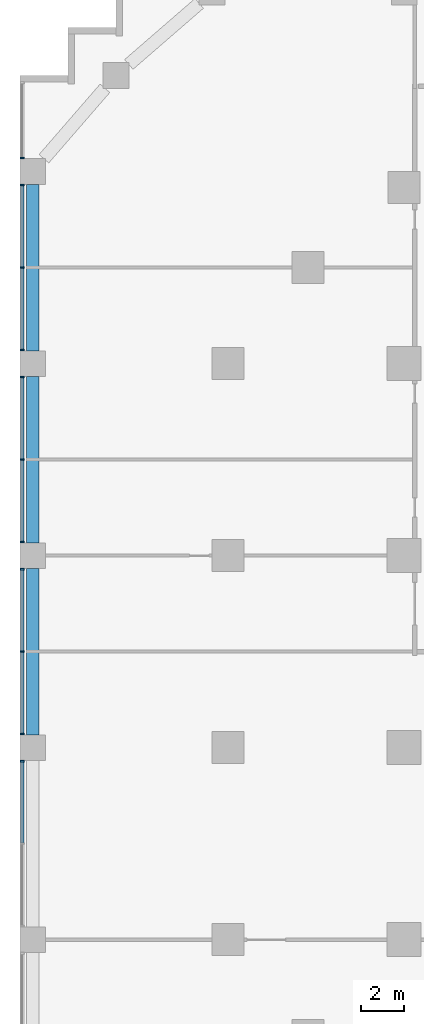
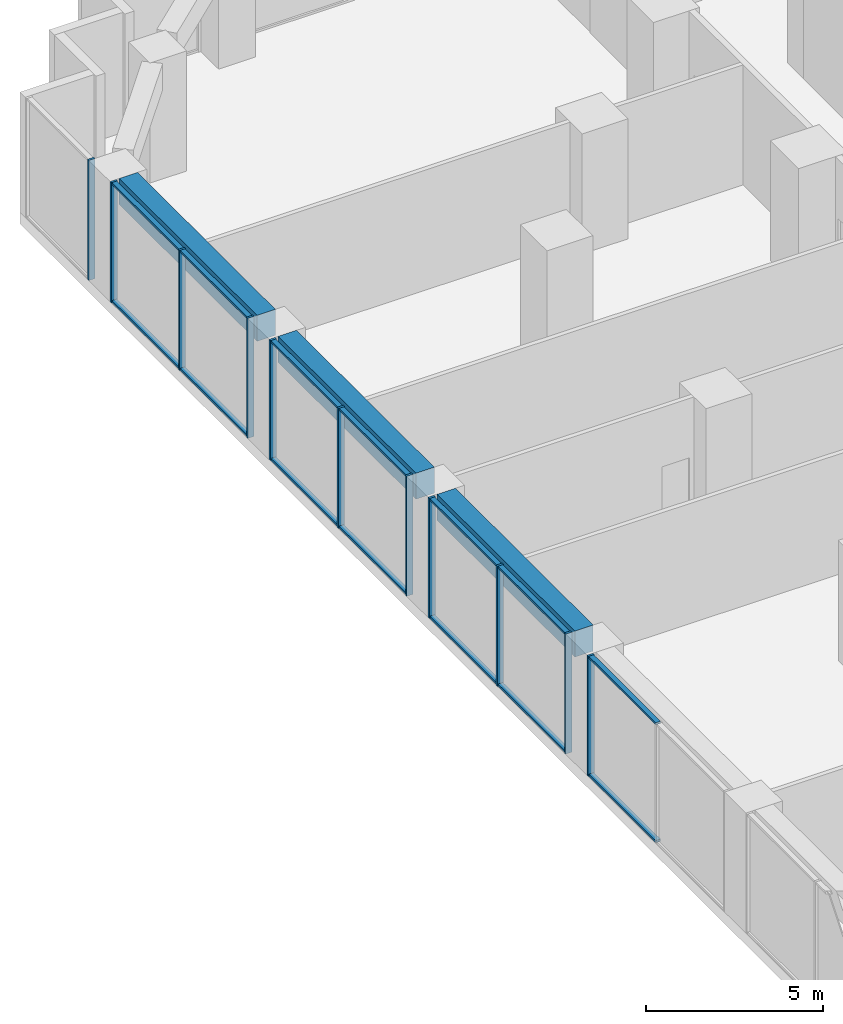
# One storey, part 5 of 18: 25 members, 3 beams, 5 elements without a shape of their own.
"""IFC4 building model written with IfcOpenShell, lengths in metres."""

import ifcopenshell
import ifcopenshell.guid

model = None  # the IFC model being written
_history = None  # IfcOwnerHistory: only IFC2X3 demands one
_inside = {}  # id of a spatial element -> (the spatial element, [elements in it])
_under = {}  # id of a project, library or spatial element -> (it, [spatial elements below it])
_declared = {}  # id of a project -> (the project, [libraries it declares])
_typed = {}  # id of a type object -> (the type object, [elements of that type])
_made_of = {}  # id of a material, layer set ... -> (it, [elements and type objects made of it])


def new_model(schema):
    """Start an empty IFC model of exactly this schema.

    Asked for "IFC4X3", IfcOpenShell would pick the latest addendum, in which some entities
    have other attributes; the version numbers below select the first issue.
    IFC2X3 requires an IfcOwnerHistory on every rooted entity: one is made here for all.
    """
    global model, _history
    if schema == "IFC4X3":
        model = ifcopenshell.file(schema_version=(4, 3, 0, 0))
    else:
        model = ifcopenshell.file(schema=schema)
    _inside.clear()
    _under.clear()
    _declared.clear()
    _typed.clear()
    _made_of.clear()
    _history = None
    if model.schema == "IFC2X3":
        org = make("IfcOrganization", Name="unknown")
        user = make(
            "IfcPersonAndOrganization",
            ThePerson=make("IfcPerson", FamilyName="unknown"),
            TheOrganization=org,
        )
        app = make(
            "IfcApplication",
            ApplicationDeveloper=org,
            Version="unknown",
            ApplicationFullName="unknown",
            ApplicationIdentifier="unknown",
        )
        _history = make(
            "IfcOwnerHistory",
            OwningUser=user,
            OwningApplication=app,
            ChangeAction="ADDED",
            CreationDate=0,
        )
    return model


def make(cls, **values):
    """One entity of the class cls with the attributes given. An attribute that is None is left unset."""
    return model.create_entity(
        cls, **{name: value for name, value in values.items() if value is not None}
    )


def rooted(cls, **values):
    """An entity with a GlobalId (a new one), such as an element, a storey or a relation."""
    return make(cls, GlobalId=ifcopenshell.guid.new(), OwnerHistory=_history, **values)


def si_unit(unit_type, name, prefix=None):
    """IfcSIUnit, for example si_unit("LENGTHUNIT", "METRE", prefix="MILLI")."""
    return make("IfcSIUnit", UnitType=unit_type, Prefix=prefix, Name=name)


def assignment(units):
    """IfcUnitAssignment: the units of a project."""
    return None if units is None else make("IfcUnitAssignment", Units=units)


def point(xyz):
    """IfcCartesianPoint."""
    return None if xyz is None else make("IfcCartesianPoint", Coordinates=xyz)


def direction(xyz):
    """IfcDirection."""
    return None if xyz is None else make("IfcDirection", DirectionRatios=xyz)


def frame(location, z_axis=None, x_axis=None):
    """IfcAxis2Placement3D, a coordinate frame: its origin and axes. An axis left out is left unset."""
    return make(
        "IfcAxis2Placement3D",
        Location=point(location),
        Axis=direction(z_axis),
        RefDirection=direction(x_axis),
    )


def frame_2d(location, x_axis=None):
    """IfcAxis2Placement2D, a coordinate frame in the plane: its origin and x axis."""
    return make(
        "IfcAxis2Placement2D", Location=point(location), RefDirection=direction(x_axis)
    )


def origin():
    """The frame at (0, 0, 0) with its axes left unset."""
    return frame((0.0, 0.0, 0.0))


def origin_2d():
    """The frame at (0, 0) in the plane with its x axis left unset."""
    return frame_2d((0.0, 0.0))


def place(relative_to, where):
    """IfcLocalPlacement: puts the frame where relative to a parent placement (None: the world)."""
    return make(
        "IfcLocalPlacement", PlacementRelTo=relative_to, RelativePlacement=where
    )


def context(
    kind, dimensions, precision=None, world=None, true_north=None, identifier=None
):
    """IfcGeometricRepresentationContext, for example the 3D "Model" context."""
    return make(
        "IfcGeometricRepresentationContext",
        ContextIdentifier=identifier,
        ContextType=kind,
        CoordinateSpaceDimension=dimensions,
        Precision=precision,
        WorldCoordinateSystem=world,
        TrueNorth=true_north,
    )


def subcontext(parent, identifier, kind, view, scale=None):
    """IfcGeometricRepresentationSubContext, for example "Body" below "Model"."""
    return make(
        "IfcGeometricRepresentationSubContext",
        ContextIdentifier=identifier,
        ContextType=kind,
        ParentContext=parent,
        TargetScale=scale,
        TargetView=view,
    )


def project(units=None, contexts=None):
    """IfcProject with its units and contexts."""
    return rooted(
        "IfcProject",
        Name="project",
        RepresentationContexts=contexts,
        UnitsInContext=assignment(units),
    )


def spatial(cls, under=None, at=None, **own):
    """A site, building, storey or space (cls), placed at a placement, below another one or the project."""
    s = rooted(cls, ObjectPlacement=at, **own)
    if under is not None:
        _under.setdefault(under.id(), (under, []))[1].append(s)
    return s


def profile(cls, at=None, kind="AREA", **sizes):
    """A parametric profile (cls). Its sizes go by their IFC names, for example OverallWidth=200.0."""
    return make(cls, ProfileType=kind, Position=at, **sizes)


def rectangle(**sizes):
    """IfcRectangleProfileDef."""
    return profile("IfcRectangleProfileDef", **sizes)


def extrude(swept, where, along, depth):
    """IfcExtrudedAreaSolid: the profile swept, set in the frame where, extruded along a direction by depth."""
    return make(
        "IfcExtrudedAreaSolid",
        SweptArea=swept,
        Position=where,
        ExtrudedDirection=direction(along),
        Depth=depth,
    )


def shape(context_of_items, identifier, shape_type, items):
    """IfcShapeRepresentation: the items that make up one representation, for example the "Body"."""
    return make(
        "IfcShapeRepresentation",
        ContextOfItems=context_of_items,
        RepresentationIdentifier=identifier,
        RepresentationType=shape_type,
        Items=items,
    )


def material(Name=None, Category=None):
    """IfcMaterial."""
    return make("IfcMaterial", Name=Name, Category=Category)


def material_profile(
    of_material, cross_section, Name=None, Category=None, Priority=None
):
    """IfcMaterialProfile: a cross section and its material."""
    return make(
        "IfcMaterialProfile",
        Name=Name,
        Material=of_material,
        Profile=cross_section,
        Priority=Priority,
        Category=Category,
    )


def profile_set(profiles, Name=None, composite=None):
    """IfcMaterialProfileSet."""
    return make(
        "IfcMaterialProfileSet",
        Name=Name,
        MaterialProfiles=profiles,
        CompositeProfile=composite,
    )


def made_of(thing, what):
    """Note that an element or type object is made of a material, layer set ...; save() writes the relation."""
    if what is not None:
        _made_of.setdefault(what.id(), (what, []))[1].append(thing)
    return thing


def type_object(cls, material=None, **own):
    """A type object (cls), such as IfcWallType, which elements share."""
    return made_of(rooted(cls, **own), material)


def element(
    cls,
    number,
    at=None,
    inside=None,
    cuts=None,
    type_object=None,
    material=None,
    context=None,
    identifier="Body",
    shape_type=None,
    held_by="IfcProductDefinitionShape",
    body=None,
    shapes=None,
    **own,
):
    """One element of the class cls, such as IfcWall. Its Tag is "e" and its number.

    at: its placement. inside: the storey or other place that contains it. cuts: it is an
    opening in that element (IfcRelVoidsElement). A single representation is given by context,
    identifier, shape_type and body (its items); several are given by shapes. held_by: the class
    of the entity that holds the representations. save() writes the other relations.
    """
    e = rooted(cls, Tag="e%d" % number, ObjectPlacement=at, **own)
    if body is not None:
        shapes = [shape(context, identifier, shape_type, body)]
    if shapes is not None:
        e.Representation = make(held_by, Representations=shapes)
    if inside is not None:
        _inside.setdefault(inside.id(), (inside, []))[1].append(e)
    if cuts is not None:
        rooted(
            "IfcRelVoidsElement", RelatingBuildingElement=cuts, RelatedOpeningElement=e
        )
    if type_object is not None:
        _typed.setdefault(type_object.id(), (type_object, []))[1].append(e)
    return made_of(e, material)


def aggregate(whole, parts):
    """IfcRelAggregates: a whole, such as a stair, and the parts it consists of."""
    return rooted("IfcRelAggregates", RelatingObject=whole, RelatedObjects=parts)


def save(model, path):
    """Write the relations noted so far, then the file.

    IfcRelAggregates (storeys below a building ...), IfcRelContainedInSpatialStructure (elements
    in a storey), IfcRelDefinesByType, IfcRelAssociatesMaterial and IfcRelDeclares: one each for
    every whole, place, type object, material and project.
    """
    for whole, parts in _under.values():
        aggregate(whole, parts)
    for where, things in _inside.values():
        rooted(
            "IfcRelContainedInSpatialStructure",
            RelatedElements=things,
            RelatingStructure=where,
        )
    for kind, things in _typed.values():
        rooted("IfcRelDefinesByType", RelatedObjects=things, RelatingType=kind)
    for what, things in _made_of.values():
        rooted("IfcRelAssociatesMaterial", RelatedObjects=things, RelatingMaterial=what)
    for by, libraries in _declared.values():
        rooted("IfcRelDeclares", RelatingContext=by, RelatedDefinitions=libraries)
    model.write(path)


model = new_model("IFC4")

# Units and contexts
model_context = context("Model", 3, precision=1e-05, world=origin(), true_north=direction((0.0, 1.0)))
body_context = subcontext(model_context, "Body", "Model", "MODEL_VIEW")
ifc_project = project(units=[si_unit("LENGTHUNIT", "METRE"), si_unit("AREAUNIT", "SQUARE_METRE"), si_unit("VOLUMEUNIT", "CUBIC_METRE"), si_unit("PLANEANGLEUNIT", "RADIAN"), si_unit("MASSUNIT", "GRAM", prefix="KILO")], contexts=[model_context])

# Site, building, storey
site_placement = place(None, origin())
site = spatial("IfcSite", under=ifc_project, at=site_placement, CompositionType="ELEMENT")
building_placement = place(site_placement, origin())
building = spatial("IfcBuilding", under=site, at=building_placement, Name="Orbiselva Terraces", CompositionType="ELEMENT")
storey_placement = place(building_placement, frame((0.0, 0.0, 6.0)))
storey = spatial("IfcBuildingStorey", under=building, at=storey_placement, Name="L01", CompositionType="ELEMENT", Elevation=6.0)

# Curtain wall, member
ifc_material_1 = material(Name="Clear low-e glazing in aluminium frame", Category="aluminium")
curtain_wall_type = type_object("IfcCurtainWallType", Name="ENV-CW-LOBBY", PredefinedType="NOTDEFINED", material=ifc_material_1)
curtain_wall_1_placement = place(storey_placement, origin())
curtain_wall_1 = element("IfcCurtainWall", 1, at=curtain_wall_1_placement, inside=storey, type_object=curtain_wall_type, Name="Curtain wall L01 W", PredefinedType="NOTDEFINED")
ifc_material_2 = material(Name="Anodised aluminium", Category="aluminium")
ifc_material_profile_1 = material_profile(ifc_material_2, rectangle(XDim=0.2, YDim=0.075, at=origin_2d()), Name="AL 75x200")
ifc_profile_set_1 = profile_set([ifc_material_profile_1], Name="Anodised aluminium")
member_type_1 = type_object("IfcMemberType", Name="ENV-CW-LOBBY-MULLION-75x200", PredefinedType="MULLION", material=ifc_profile_set_1)
member_1_placement = place(storey_placement, frame((-35.9, 23.1375, 0.0), z_axis=(0.0, 0.0, 1.0), x_axis=(1.0, 0.0, 0.0)))
member_1 = element("IfcMember", 2, at=member_1_placement, type_object=member_type_1, Name="CW1 mullion 2", PredefinedType="MULLION", context=body_context, shape_type="SweptSolid", body=[
    extrude(rectangle(XDim=0.2, YDim=0.075, at=origin_2d()), origin(), (0.0, 0.0, 1.0), 4.15),
])
aggregate(curtain_wall_1, [member_1])

# Curtain wall, members
curtain_wall_2_placement = place(storey_placement, origin())
curtain_wall_2 = element("IfcCurtainWall", 3, at=curtain_wall_2_placement, inside=storey, type_object=curtain_wall_type, Name="Curtain wall L01 W", PredefinedType="NOTDEFINED")
member_2_placement = place(storey_placement, frame((-35.9, 21.8625, 0.0), z_axis=(0.0, 0.0, 1.0), x_axis=(1.0, 0.0, 0.0)))
member_2 = element("IfcMember", 4, at=member_2_placement, type_object=member_type_1, Name="CW1 mullion 1", PredefinedType="MULLION", context=body_context, shape_type="SweptSolid", body=[
    extrude(rectangle(XDim=0.2, YDim=0.075, at=origin_2d()), origin(), (0.0, 0.0, 1.0), 4.15),
])
member_3_placement = place(storey_placement, frame((-35.9, 18.0, 0.0), z_axis=(0.0, 0.0, 1.0), x_axis=(1.0, 0.0, 0.0)))
member_3 = element("IfcMember", 5, at=member_3_placement, type_object=member_type_1, Name="CW1 mullion 2", PredefinedType="MULLION", context=body_context, shape_type="SweptSolid", body=[
    extrude(rectangle(XDim=0.2, YDim=0.075, at=origin_2d()), origin(), (0.0, 0.0, 1.0), 4.15),
])
member_4_placement = place(storey_placement, frame((-35.9, 14.1375, 0.0), z_axis=(0.0, 0.0, 1.0), x_axis=(1.0, 0.0, 0.0)))
member_4 = element("IfcMember", 6, at=member_4_placement, type_object=member_type_1, Name="CW1 mullion 3", PredefinedType="MULLION", context=body_context, shape_type="SweptSolid", body=[
    extrude(rectangle(XDim=0.2, YDim=0.075, at=origin_2d()), origin(), (0.0, 0.0, 1.0), 4.15),
])

curtain_wall_3_placement = place(storey_placement, origin())
curtain_wall_3 = element("IfcCurtainWall", 7, at=curtain_wall_3_placement, inside=storey, type_object=curtain_wall_type, Name="Curtain wall L01 W", PredefinedType="NOTDEFINED")
member_5_placement = place(storey_placement, frame((-35.9, 12.8625, 0.0), z_axis=(0.0, 0.0, 1.0), x_axis=(1.0, 0.0, 0.0)))
member_5 = element("IfcMember", 8, at=member_5_placement, type_object=member_type_1, Name="CW1 mullion 1", PredefinedType="MULLION", context=body_context, shape_type="SweptSolid", body=[
    extrude(rectangle(XDim=0.2, YDim=0.075, at=origin_2d()), origin(), (0.0, 0.0, 1.0), 4.15),
])
member_6_placement = place(storey_placement, frame((-35.9, 9.0, 0.0), z_axis=(0.0, 0.0, 1.0), x_axis=(1.0, 0.0, 0.0)))
member_6 = element("IfcMember", 9, at=member_6_placement, type_object=member_type_1, Name="CW1 mullion 2", PredefinedType="MULLION", context=body_context, shape_type="SweptSolid", body=[
    extrude(rectangle(XDim=0.2, YDim=0.075, at=origin_2d()), origin(), (0.0, 0.0, 1.0), 4.15),
])
member_7_placement = place(storey_placement, frame((-35.9, 5.1375, 0.0), z_axis=(0.0, 0.0, 1.0), x_axis=(1.0, 0.0, 0.0)))
member_7 = element("IfcMember", 10, at=member_7_placement, type_object=member_type_1, Name="CW1 mullion 3", PredefinedType="MULLION", context=body_context, shape_type="SweptSolid", body=[
    extrude(rectangle(XDim=0.2, YDim=0.075, at=origin_2d()), origin(), (0.0, 0.0, 1.0), 4.15),
])

curtain_wall_4_placement = place(storey_placement, origin())
curtain_wall_4 = element("IfcCurtainWall", 11, at=curtain_wall_4_placement, inside=storey, type_object=curtain_wall_type, Name="Curtain wall L01 W", PredefinedType="NOTDEFINED")
member_8_placement = place(storey_placement, frame((-35.9, 3.8625, 0.0), z_axis=(0.0, 0.0, 1.0), x_axis=(1.0, 0.0, 0.0)))
member_8 = element("IfcMember", 12, at=member_8_placement, type_object=member_type_1, Name="CW1 mullion 1", PredefinedType="MULLION", context=body_context, shape_type="SweptSolid", body=[
    extrude(rectangle(XDim=0.2, YDim=0.075, at=origin_2d()), origin(), (0.0, 0.0, 1.0), 4.15),
])
member_9_placement = place(storey_placement, frame((-35.9, 0.0, 0.0), z_axis=(0.0, 0.0, 1.0), x_axis=(1.0, 0.0, 0.0)))
member_9 = element("IfcMember", 13, at=member_9_placement, type_object=member_type_1, Name="CW1 mullion 2", PredefinedType="MULLION", context=body_context, shape_type="SweptSolid", body=[
    extrude(rectangle(XDim=0.2, YDim=0.075, at=origin_2d()), origin(), (0.0, 0.0, 1.0), 4.15),
])
member_10_placement = place(storey_placement, frame((-35.9, -3.8625, 0.0), z_axis=(0.0, 0.0, 1.0), x_axis=(1.0, 0.0, 0.0)))
member_10 = element("IfcMember", 14, at=member_10_placement, type_object=member_type_1, Name="CW1 mullion 3", PredefinedType="MULLION", context=body_context, shape_type="SweptSolid", body=[
    extrude(rectangle(XDim=0.2, YDim=0.075, at=origin_2d()), origin(), (0.0, 0.0, 1.0), 4.15),
])

# Curtain wall, member
curtain_wall_5_placement = place(storey_placement, origin())
curtain_wall_5 = element("IfcCurtainWall", 15, at=curtain_wall_5_placement, inside=storey, type_object=curtain_wall_type, Name="Curtain wall L01 W", PredefinedType="NOTDEFINED")
member_11_placement = place(storey_placement, frame((-35.9, -5.1375, 0.0), z_axis=(0.0, 0.0, 1.0), x_axis=(1.0, 0.0, 0.0)))
member_11 = element("IfcMember", 16, at=member_11_placement, type_object=member_type_1, Name="CW1 mullion 1", PredefinedType="MULLION", context=body_context, shape_type="SweptSolid", body=[
    extrude(rectangle(XDim=0.2, YDim=0.075, at=origin_2d()), origin(), (0.0, 0.0, 1.0), 4.15),
])

# Member
ifc_material_profile_2 = material_profile(ifc_material_2, rectangle(XDim=0.16, YDim=0.075, at=origin_2d()), Name="AL 75x160")
ifc_profile_set_2 = profile_set([ifc_material_profile_2], Name="Anodised aluminium")
member_type_2 = type_object("IfcMemberType", Name="ENV-CW-LOBBY-TRANSOM-75x160", PredefinedType="USERDEFINED", material=ifc_profile_set_2)
member_12_placement = place(storey_placement, frame((-35.9, 21.825, 0.0375), z_axis=(0.0, -1.0, 0.0), x_axis=(1.0, 0.0, 0.0)))
member_12 = element("IfcMember", 17, at=member_12_placement, type_object=member_type_2, Name="CW1 transom 1.1", ObjectType="TRANSOM", PredefinedType="USERDEFINED", context=body_context, shape_type="SweptSolid", body=[
    extrude(rectangle(XDim=0.16, YDim=0.075, at=origin_2d()), origin(), (0.0, 0.0, 1.0), 3.7875),
])

member_13_placement = place(storey_placement, frame((-35.9, 21.825, 4.1125), z_axis=(0.0, -1.0, 0.0), x_axis=(1.0, 0.0, 0.0)))
member_13 = element("IfcMember", 18, at=member_13_placement, type_object=member_type_2, Name="CW1 transom 1.2", ObjectType="TRANSOM", PredefinedType="USERDEFINED", context=body_context, shape_type="SweptSolid", body=[
    extrude(rectangle(XDim=0.16, YDim=0.075, at=origin_2d()), origin(), (0.0, 0.0, 1.0), 3.7875),
])

member_14_placement = place(storey_placement, frame((-35.9, 17.9625, 0.0375), z_axis=(0.0, -1.0, 0.0), x_axis=(1.0, 0.0, 0.0)))
member_14 = element("IfcMember", 19, at=member_14_placement, type_object=member_type_2, Name="CW1 transom 2.1", ObjectType="TRANSOM", PredefinedType="USERDEFINED", context=body_context, shape_type="SweptSolid", body=[
    extrude(rectangle(XDim=0.16, YDim=0.075, at=origin_2d()), origin(), (0.0, 0.0, 1.0), 3.7875),
])

member_15_placement = place(storey_placement, frame((-35.9, 17.9625, 4.1125), z_axis=(0.0, -1.0, 0.0), x_axis=(1.0, 0.0, 0.0)))
member_15 = element("IfcMember", 20, at=member_15_placement, type_object=member_type_2, Name="CW1 transom 2.2", ObjectType="TRANSOM", PredefinedType="USERDEFINED", context=body_context, shape_type="SweptSolid", body=[
    extrude(rectangle(XDim=0.16, YDim=0.075, at=origin_2d()), origin(), (0.0, 0.0, 1.0), 3.7875),
])

aggregate(curtain_wall_2, [member_2, member_3, member_4, member_12, member_13, member_14, member_15])

member_16_placement = place(storey_placement, frame((-35.9, 12.825, 0.0375), z_axis=(0.0, -1.0, 0.0), x_axis=(1.0, 0.0, 0.0)))
member_16 = element("IfcMember", 21, at=member_16_placement, type_object=member_type_2, Name="CW1 transom 1.1", ObjectType="TRANSOM", PredefinedType="USERDEFINED", context=body_context, shape_type="SweptSolid", body=[
    extrude(rectangle(XDim=0.16, YDim=0.075, at=origin_2d()), origin(), (0.0, 0.0, 1.0), 3.7875),
])

member_17_placement = place(storey_placement, frame((-35.9, 12.825, 4.1125), z_axis=(0.0, -1.0, 0.0), x_axis=(1.0, 0.0, 0.0)))
member_17 = element("IfcMember", 22, at=member_17_placement, type_object=member_type_2, Name="CW1 transom 1.2", ObjectType="TRANSOM", PredefinedType="USERDEFINED", context=body_context, shape_type="SweptSolid", body=[
    extrude(rectangle(XDim=0.16, YDim=0.075, at=origin_2d()), origin(), (0.0, 0.0, 1.0), 3.7875),
])

member_18_placement = place(storey_placement, frame((-35.9, 8.9625, 0.0375), z_axis=(0.0, -1.0, 0.0), x_axis=(1.0, 0.0, 0.0)))
member_18 = element("IfcMember", 23, at=member_18_placement, type_object=member_type_2, Name="CW1 transom 2.1", ObjectType="TRANSOM", PredefinedType="USERDEFINED", context=body_context, shape_type="SweptSolid", body=[
    extrude(rectangle(XDim=0.16, YDim=0.075, at=origin_2d()), origin(), (0.0, 0.0, 1.0), 3.7875),
])

member_19_placement = place(storey_placement, frame((-35.9, 8.9625, 4.1125), z_axis=(0.0, -1.0, 0.0), x_axis=(1.0, 0.0, 0.0)))
member_19 = element("IfcMember", 24, at=member_19_placement, type_object=member_type_2, Name="CW1 transom 2.2", ObjectType="TRANSOM", PredefinedType="USERDEFINED", context=body_context, shape_type="SweptSolid", body=[
    extrude(rectangle(XDim=0.16, YDim=0.075, at=origin_2d()), origin(), (0.0, 0.0, 1.0), 3.7875),
])

aggregate(curtain_wall_3, [member_5, member_6, member_7, member_16, member_17, member_18, member_19])

member_20_placement = place(storey_placement, frame((-35.9, 3.825, 0.0375), z_axis=(0.0, -1.0, 0.0), x_axis=(1.0, 0.0, 0.0)))
member_20 = element("IfcMember", 25, at=member_20_placement, type_object=member_type_2, Name="CW1 transom 1.1", ObjectType="TRANSOM", PredefinedType="USERDEFINED", context=body_context, shape_type="SweptSolid", body=[
    extrude(rectangle(XDim=0.16, YDim=0.075, at=origin_2d()), origin(), (0.0, 0.0, 1.0), 3.7875),
])

member_21_placement = place(storey_placement, frame((-35.9, 3.825, 4.1125), z_axis=(0.0, -1.0, 0.0), x_axis=(1.0, 0.0, 0.0)))
member_21 = element("IfcMember", 26, at=member_21_placement, type_object=member_type_2, Name="CW1 transom 1.2", ObjectType="TRANSOM", PredefinedType="USERDEFINED", context=body_context, shape_type="SweptSolid", body=[
    extrude(rectangle(XDim=0.16, YDim=0.075, at=origin_2d()), origin(), (0.0, 0.0, 1.0), 3.7875),
])

member_22_placement = place(storey_placement, frame((-35.9, -0.0375, 0.0375), z_axis=(0.0, -1.0, 0.0), x_axis=(1.0, 0.0, 0.0)))
member_22 = element("IfcMember", 27, at=member_22_placement, type_object=member_type_2, Name="CW1 transom 2.1", ObjectType="TRANSOM", PredefinedType="USERDEFINED", context=body_context, shape_type="SweptSolid", body=[
    extrude(rectangle(XDim=0.16, YDim=0.075, at=origin_2d()), origin(), (0.0, 0.0, 1.0), 3.7875),
])

member_23_placement = place(storey_placement, frame((-35.9, -0.0375, 4.1125), z_axis=(0.0, -1.0, 0.0), x_axis=(1.0, 0.0, 0.0)))
member_23 = element("IfcMember", 28, at=member_23_placement, type_object=member_type_2, Name="CW1 transom 2.2", ObjectType="TRANSOM", PredefinedType="USERDEFINED", context=body_context, shape_type="SweptSolid", body=[
    extrude(rectangle(XDim=0.16, YDim=0.075, at=origin_2d()), origin(), (0.0, 0.0, 1.0), 3.7875),
])

aggregate(curtain_wall_4, [member_8, member_9, member_10, member_20, member_21, member_22, member_23])

member_24_placement = place(storey_placement, frame((-35.9, -5.175, 0.0375), z_axis=(0.0, -1.0, 0.0), x_axis=(1.0, 0.0, 0.0)))
member_24 = element("IfcMember", 29, at=member_24_placement, type_object=member_type_2, Name="CW1 transom 1.1", ObjectType="TRANSOM", PredefinedType="USERDEFINED", context=body_context, shape_type="SweptSolid", body=[
    extrude(rectangle(XDim=0.16, YDim=0.075, at=origin_2d()), origin(), (0.0, 0.0, 1.0), 3.7875),
])

member_25_placement = place(storey_placement, frame((-35.9, -5.175, 4.1125), z_axis=(0.0, -1.0, 0.0), x_axis=(1.0, 0.0, 0.0)))
member_25 = element("IfcMember", 30, at=member_25_placement, type_object=member_type_2, Name="CW1 transom 1.2", ObjectType="TRANSOM", PredefinedType="USERDEFINED", context=body_context, shape_type="SweptSolid", body=[
    extrude(rectangle(XDim=0.16, YDim=0.075, at=origin_2d()), origin(), (0.0, 0.0, 1.0), 3.7875),
])

aggregate(curtain_wall_5, [member_11, member_24, member_25])

# Beams
ifc_material_3 = material(Name="Concrete C60/75", Category="concrete")
ifc_material_profile_3 = material_profile(ifc_material_3, rectangle(XDim=0.6, YDim=0.9, at=origin_2d()), Name="RC 600x900")
ifc_profile_set_3 = profile_set([ifc_material_profile_3], Name="Concrete C60/75")
beam_type = type_object("IfcBeamType", Name="PODIUM GIRDER RC 600x900", PredefinedType="BEAM", material=ifc_profile_set_3)
for number, where, z_axis, x_axis, name in (
    (31, (-35.4, 21.9, 3.7), (0.0, -1.0, 0.0), (1.0, 0.0, 0.0), "Podium girder 28"),
    (32, (-35.4, 12.9, 3.7), (0.0, -1.0, 0.0), (1.0, 0.0, 0.0), "Podium girder 29"),
    (33, (-35.4, 3.9, 3.7), (0.0, -1.0, 0.0), (1.0, 0.0, 0.0), "Podium girder 30"),
):
    element("IfcBeam", number, at=place(storey_placement, frame(where, z_axis=z_axis, x_axis=x_axis)), inside=storey, type_object=beam_type, Name=name, PredefinedType="BEAM", context=body_context, shape_type="SweptSolid", body=[
        extrude(rectangle(XDim=0.6, YDim=0.9, at=origin_2d()), origin(), (0.0, 0.0, 1.0), 7.8),
    ])

save(model, "model.ifc")
